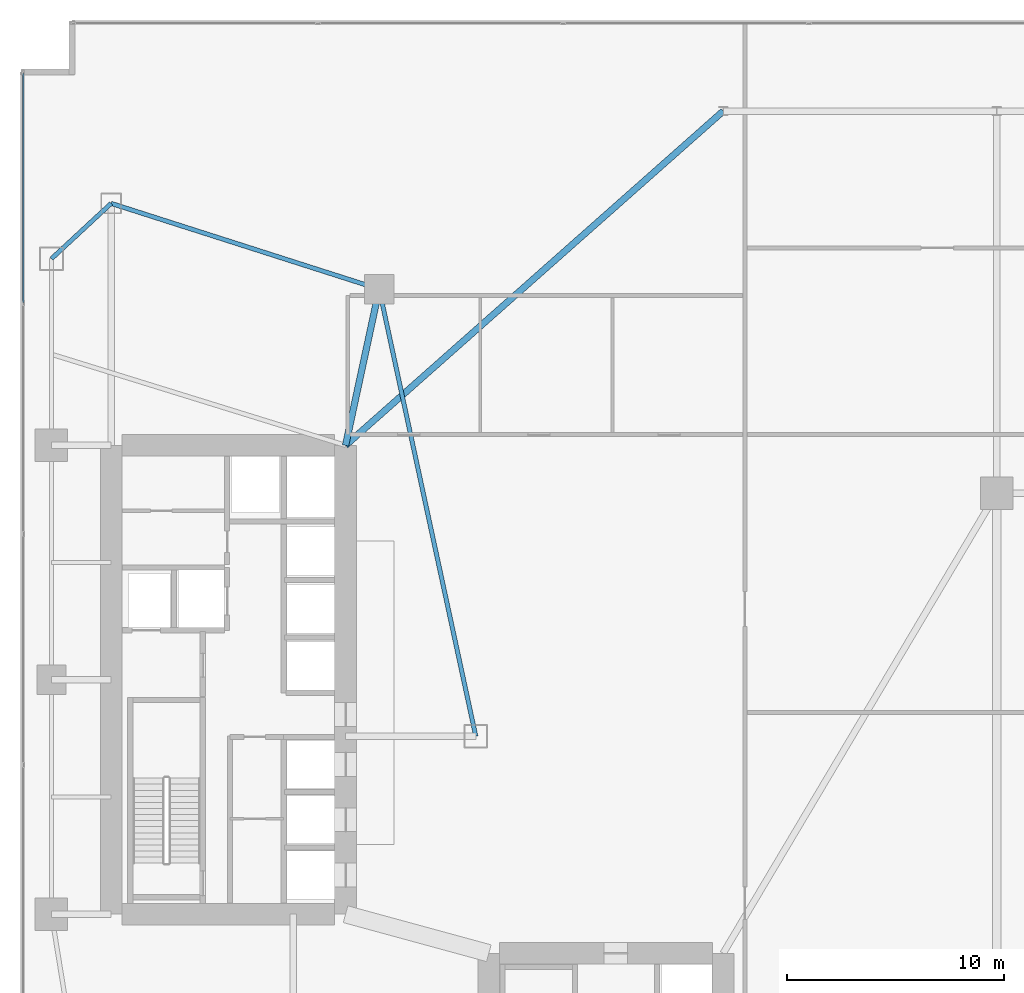
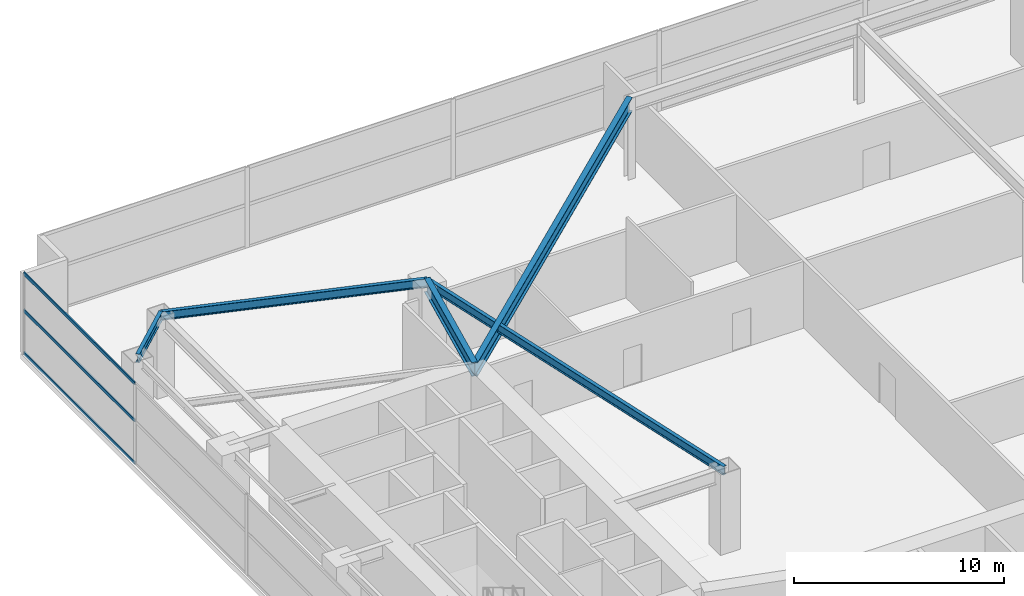
# One storey, part 15 of 35: 5 beams, 3 members, 1 element without a shape of its own.
"""IFC4 building model written with IfcOpenShell, lengths in metres."""

from ifc_helpers import new_model, si_unit, direction, frame, origin, origin_2d, place, context, subcontext, project, spatial, hollow_rectangle, i_section, extrude, material, layer, layer_set, material_profile, profile_set, type_object, element, aggregate, save


model = new_model("IFC4")

# Units and contexts
model_context = context("Model", 3, precision=1e-05, world=origin(), true_north=direction((0.0, 1.0)))
body_context = subcontext(model_context, "Body", "Model", "MODEL_VIEW")
ifc_project = project(units=[si_unit("LENGTHUNIT", "METRE"), si_unit("AREAUNIT", "SQUARE_METRE"), si_unit("VOLUMEUNIT", "CUBIC_METRE"), si_unit("PLANEANGLEUNIT", "RADIAN"), si_unit("MASSUNIT", "GRAM", prefix="KILO")], contexts=[model_context])

# Site, building, storey
site_placement = place(None, origin())
site = spatial("IfcSite", under=ifc_project, at=site_placement, CompositionType="ELEMENT")
building_placement = place(site_placement, origin())
building = spatial("IfcBuilding", under=site, at=building_placement, Name="Calvorn Quay Hotel", CompositionType="ELEMENT")
storey_placement = place(building_placement, frame((0.0, 0.0, 12.0)))
storey = spatial("IfcBuildingStorey", under=building, at=storey_placement, Name="L02", CompositionType="ELEMENT", Elevation=12.0)

# Beams
ifc_material_1 = material(Name="Steel Q390GJC", Category="steel")
ifc_material_profile_1 = material_profile(ifc_material_1, i_section(OverallWidth=0.300048828125, OverallDepth=0.800048828125, WebThickness=0.013916015625, FlangeThickness=0.02587890625, FilletRadius=0.02392578125, at=origin_2d()), Name="HN800x300x14x26")
ifc_profile_set_1 = profile_set([ifc_material_profile_1], Name="Steel Q390GJC")
beam_type_1 = type_object("IfcBeamType", Name="BM-GIRD-POD", PredefinedType="BEAM", material=ifc_profile_set_1)
beam_1_placement = place(storey_placement, frame((16.550048828125, 45.60009765625, 4.280029296875), z_axis=(-0.210457140491, -0.97760308511, 0.0), x_axis=(0.97760308511, -0.210457140491, 0.0)))
element("IfcBeam", 1, at=beam_1_placement, inside=storey, type_object=beam_type_1, Name="Beam BG-L02-W6", PredefinedType="BEAM", context=body_context, shape_type="SweptSolid", body=[
    extrude(i_section(OverallWidth=0.300048828125, OverallDepth=0.800048828125, WebThickness=0.013916015625, FlangeThickness=0.02587890625, FilletRadius=0.02392578125, at=origin_2d()), origin(), (0.0, 0.0, 1.0), 7.365234375),
])
beam_2_placement = place(storey_placement, frame((15.0, 38.39990234375, 4.280029296875), z_axis=(0.748827276571, 0.662765199647, 0.0), x_axis=(-0.662765199647, 0.748827276571, 0.0)))
element("IfcBeam", 2, at=beam_2_placement, inside=storey, type_object=beam_type_1, Name="Beam BG-L02-PN4", PredefinedType="BEAM", context=body_context, shape_type="SweptSolid", body=[
    extrude(i_section(OverallWidth=0.300048828125, OverallDepth=0.800048828125, WebThickness=0.013916015625, FlangeThickness=0.02587890625, FilletRadius=0.02392578125, at=origin_2d()), origin(), (0.0, 0.0, 1.0), 23.236083984375),
])
ifc_material_2 = material(Name="Steel Q355B", Category="steel")
ifc_material_profile_2 = material_profile(ifc_material_2, i_section(OverallWidth=0.199951171875, OverallDepth=0.5, WebThickness=0.010009765625, FlangeThickness=0.01611328125, FilletRadius=0.01611328125, at=origin_2d()), Name="HN500x200x10x16")
ifc_profile_set_2 = profile_set([ifc_material_profile_2], Name="Steel Q355B")
beam_type_2 = type_object("IfcBeamType", Name="BM-SPANDREL-Z1", PredefinedType="SPANDREL", material=ifc_profile_set_2)
beam_3_placement = place(storey_placement, frame((1.449951171875, 47.0, 4.429931640625), z_axis=(0.733261665538, 0.679946563969, 0.0), x_axis=(-0.679946563969, 0.733261665538, 0.0)))
element("IfcBeam", 3, at=beam_3_placement, inside=storey, type_object=beam_type_2, Name="Beam BSP-L02-W5", PredefinedType="SPANDREL", context=body_context, shape_type="SweptSolid", body=[
    extrude(i_section(OverallWidth=0.199951171875, OverallDepth=0.5, WebThickness=0.010009765625, FlangeThickness=0.01611328125, FilletRadius=0.01611328125, at=origin_2d()), origin(), (0.0, 0.0, 1.0), 3.75048828125),
])
beam_4_placement = place(storey_placement, frame((4.199951171875, 49.550048828125, 4.429931640625), z_axis=(0.952470702374, -0.304630203885, 0.0), x_axis=(0.304630203885, 0.952470702374, 0.0)))
element("IfcBeam", 4, at=beam_4_placement, inside=storey, type_object=beam_type_2, Name="Beam BSP-L02-W6", PredefinedType="SPANDREL", context=body_context, shape_type="SweptSolid", body=[
    extrude(i_section(OverallWidth=0.199951171875, OverallDepth=0.5, WebThickness=0.010009765625, FlangeThickness=0.01611328125, FilletRadius=0.01611328125, at=origin_2d()), origin(), (0.0, 0.0, 1.0), 12.96630859375),
])
beam_5_placement = place(storey_placement, frame((16.550048828125, 45.60009765625, 4.429931640625), z_axis=(0.211145848376, -0.977454567084, 0.0), x_axis=(0.977454567084, 0.211145848376, 0.0)))
element("IfcBeam", 5, at=beam_5_placement, inside=storey, type_object=beam_type_2, Name="Beam BSP-L02-W7", PredefinedType="SPANDREL", context=body_context, shape_type="SweptSolid", body=[
    extrude(i_section(OverallWidth=0.199951171875, OverallDepth=0.5, WebThickness=0.010009765625, FlangeThickness=0.01611328125, FilletRadius=0.01611328125, at=origin_2d()), origin(), (0.0, 0.0, 1.0), 21.0751953125),
])

# Curtain wall, members
ifc_material_3 = material(Name="Pale Anodised Aluminium and Low-E Glass", Category="aluminium")
ifc_layer = layer(ifc_material_3, 0.219970703125)
ifc_layer_set = layer_set([ifc_layer], Name="CW-SYS-POD")
curtain_wall_type = type_object("IfcCurtainWallType", Name="CW-SYS-POD", PredefinedType="NOTDEFINED", material=ifc_layer_set)
curtain_wall_placement = place(storey_placement, origin())
curtain_wall = element("IfcCurtainWall", 6, at=curtain_wall_placement, inside=storey, type_object=curtain_wall_type, Name="Podium Curtain Wall L02-W1", PredefinedType="NOTDEFINED")
ifc_material_4 = material(Name="Pale Anodised Aluminium 6063-T6", Category="aluminium")
ifc_material_profile_3 = material_profile(ifc_material_4, hollow_rectangle(XDim=0.070068359375, YDim=0.179931640625, WallThickness=0.00390625, at=origin_2d()), Name="ALU-T180x70x4")
ifc_profile_set_3 = profile_set([ifc_material_profile_3], Name="Pale Anodised Aluminium 6063-T6")
member_type = type_object("IfcMemberType", Name="CW-SYS-POD-TRN", PredefinedType="USERDEFINED", material=ifc_profile_set_3)
member_1_placement = place(storey_placement, frame((0.14990234375, 44.989990234375, 0.030029296875), z_axis=(0.0, 1.0, 0.0), x_axis=(-1.0, 0.0, 0.0)))
member_1 = element("IfcMember", 7, at=member_1_placement, type_object=member_type, Name="CW-L02-W1 transom 5.1", ObjectType="TRANSOM", PredefinedType="USERDEFINED", context=body_context, shape_type="SweptSolid", body=[
    extrude(hollow_rectangle(XDim=0.070068359375, YDim=0.179931640625, WallThickness=0.00390625, at=origin_2d()), origin(), (0.0, 0.0, 1.0), 10.550048828125),
])
member_2_placement = place(storey_placement, frame((0.14990234375, 44.989990234375, 2.5), z_axis=(0.0, 1.0, 0.0), x_axis=(-1.0, 0.0, 0.0)))
member_2 = element("IfcMember", 8, at=member_2_placement, type_object=member_type, Name="CW-L02-W1 transom 5.2", ObjectType="TRANSOM", PredefinedType="USERDEFINED", context=body_context, shape_type="SweptSolid", body=[
    extrude(hollow_rectangle(XDim=0.070068359375, YDim=0.179931640625, WallThickness=0.00390625, at=origin_2d()), origin(), (0.0, 0.0, 1.0), 10.550048828125),
])
member_3_placement = place(storey_placement, frame((0.14990234375, 44.989990234375, 4.64990234375), z_axis=(0.0, 1.0, 0.0), x_axis=(-1.0, 0.0, 0.0)))
member_3 = element("IfcMember", 9, at=member_3_placement, type_object=member_type, Name="CW-L02-W1 transom 5.3", ObjectType="TRANSOM", PredefinedType="USERDEFINED", context=body_context, shape_type="SweptSolid", body=[
    extrude(hollow_rectangle(XDim=0.070068359375, YDim=0.179931640625, WallThickness=0.00390625, at=origin_2d()), origin(), (0.0, 0.0, 1.0), 10.550048828125),
])
aggregate(curtain_wall, [member_1, member_2, member_3])

save(model, "model.ifc")
